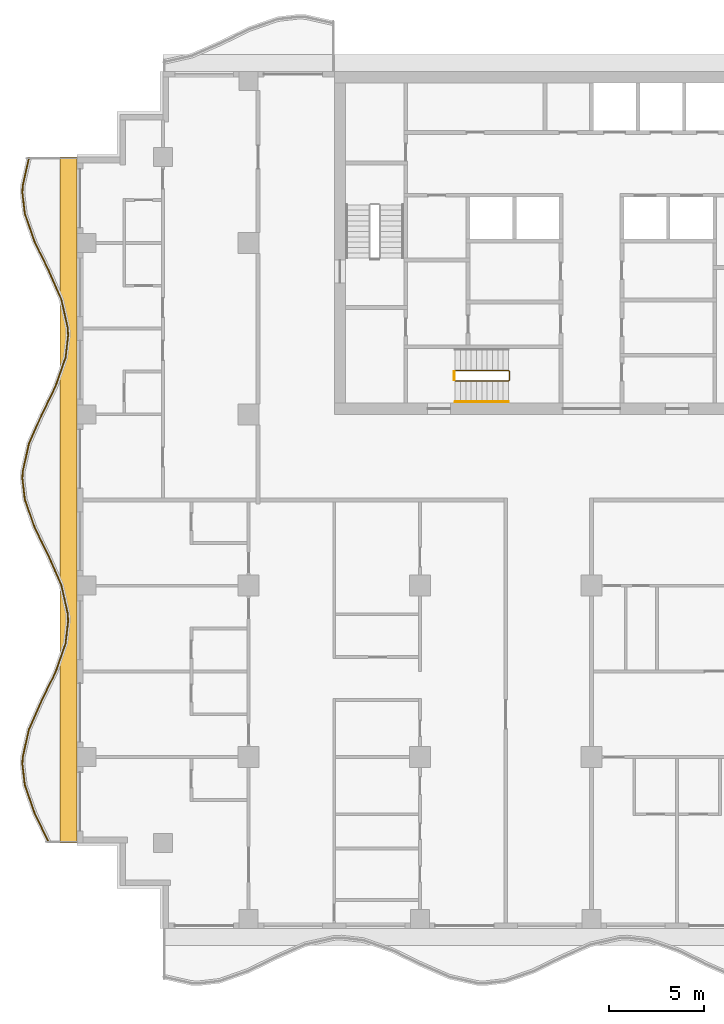
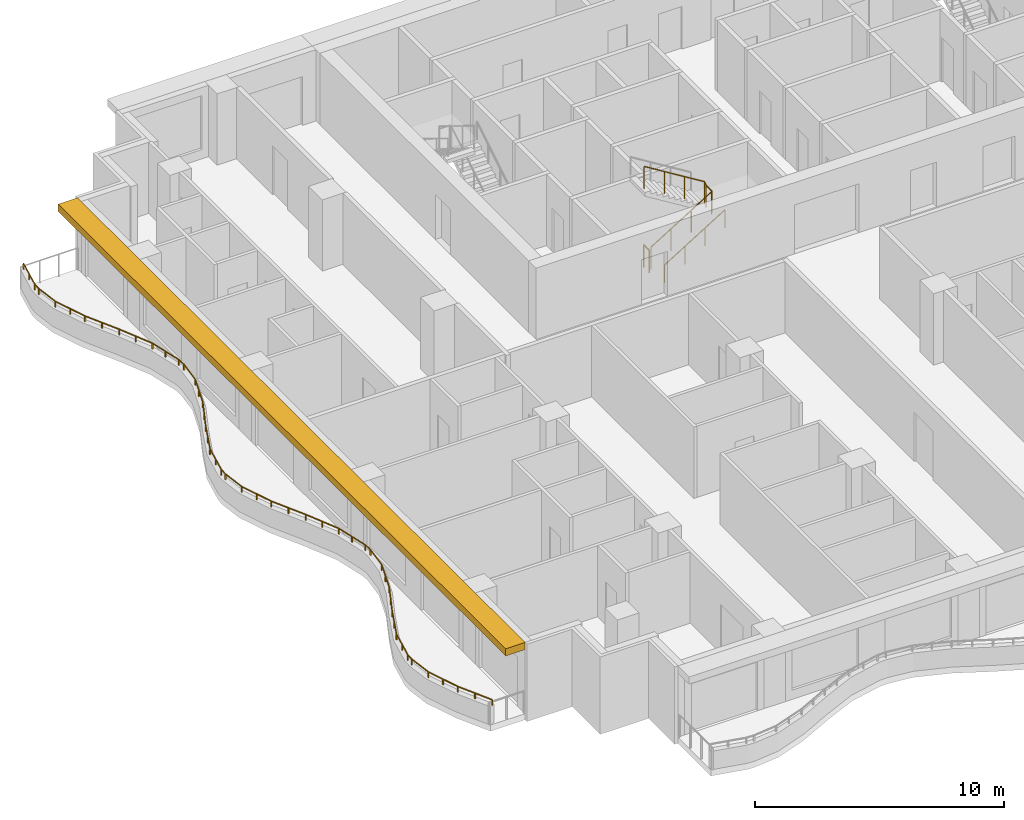
# One storey, part 10 of 12: 4 railings, 1 shading device.
"""IFC4 building model written with IfcOpenShell, lengths in metres."""

from ifc_helpers import new_model, si_unit, direction, frame, origin, origin_2d, place, context, subcontext, project, spatial, polyline, rectangle, circle, outline, extrude, material, layer, layer_set, type_object, element, save


model = new_model("IFC4")

# Units and contexts
model_context = context("Model", 3, precision=1e-05, world=origin(), true_north=direction((0.0, 1.0)))
body_context = subcontext(model_context, "Body", "Model", "MODEL_VIEW")
ifc_project = project(units=[si_unit("LENGTHUNIT", "METRE"), si_unit("AREAUNIT", "SQUARE_METRE"), si_unit("VOLUMEUNIT", "CUBIC_METRE"), si_unit("PLANEANGLEUNIT", "RADIAN"), si_unit("MASSUNIT", "GRAM", prefix="KILO")], contexts=[model_context])

# Site, building, storey
site_placement = place(None, origin())
site = spatial("IfcSite", under=ifc_project, at=site_placement, CompositionType="ELEMENT")
building_placement = place(site_placement, origin())
building = spatial("IfcBuilding", under=site, at=building_placement, Name="Orbiselva Terraces", CompositionType="ELEMENT")
storey_placement = place(building_placement, frame((0.0, 0.0, 214.8)))
storey = spatial("IfcBuildingStorey", under=building, at=storey_placement, Name="L54", CompositionType="ELEMENT", Elevation=214.8)

# Railings
ifc_material_1 = material(Name="Stainless steel", Category="steel")
railing_type_1 = type_object("IfcRailingType", Name="CORE-GUARD-1100", PredefinedType="GUARDRAIL", material=ifc_material_1)
railing_1_placement = place(storey_placement, frame((-7.15, 6.25, 0.172727)))
element("IfcRailing", 1, at=railing_1_placement, inside=storey, type_object=railing_type_1, Name="L54 S3 stair guard 1", PredefinedType="GUARDRAIL", context=body_context, shape_type="SweptSolid", body=[
    extrude(circle(Radius=0.024, at=origin_2d()), frame((0.0, 0.0, 1.081), z_axis=(0.851088519012, 0.0, 0.52502222125), x_axis=(0.0, 1.0, 0.0)), (0.0, 0.0, 1.0), 3.289905),
    extrude(circle(Radius=0.024, at=origin_2d()), frame((2.8, 0.0, 2.808273), z_axis=(0.707106781187, 0.707106781187, 0.0), x_axis=(-0.707106781187, 0.707106781187, 0.0)), (0.0, 0.0, 1.0), 0.070711),
    extrude(circle(Radius=0.024, at=origin_2d()), frame((2.85, 0.05, 2.808273), z_axis=(0.0, 1.0, 0.0), x_axis=(-1.0, 0.0, 0.0)), (0.0, 0.0, 1.0), 0.45),
    extrude(circle(Radius=0.024, at=origin_2d()), frame((2.85, 0.5, 2.808273), z_axis=(-0.267894925557, 0.267894925557, 0.925453736133), x_axis=(-0.707106781187, -0.707106781187, 0.0)), (0.0, 0.0, 1.0), 0.18664),
    extrude(circle(Radius=0.024, at=origin_2d()), frame((2.8, 0.55, 2.981), z_axis=(-0.851088519012, 0.0, 0.52502222125), x_axis=(0.0, -1.0, 0.0)), (0.0, 0.0, 1.0), 3.289905),
    extrude(circle(Radius=0.021, at=origin_2d()), origin(), (0.0, 0.0, 1.0), 1.057),
    extrude(circle(Radius=0.021, at=origin_2d()), frame((0.933333, 0.0, 0.575758)), (0.0, 0.0, 1.0), 1.057),
    extrude(circle(Radius=0.021, at=origin_2d()), frame((1.866667, 0.0, 1.151515)), (0.0, 0.0, 1.0), 1.057),
    extrude(circle(Radius=0.021, at=origin_2d()), frame((2.8, 0.0, 1.727273)), (0.0, 0.0, 1.0), 1.057),
    extrude(circle(Radius=0.021, at=origin_2d()), frame((2.85, 0.05, 1.727273)), (0.0, 0.0, 1.0), 1.057),
    extrude(circle(Radius=0.021, at=origin_2d()), frame((2.85, 0.5, 1.727273)), (0.0, 0.0, 1.0), 1.057),
    extrude(circle(Radius=0.021, at=origin_2d()), frame((2.8, 0.55, 1.9)), (0.0, 0.0, 1.0), 1.057),
    extrude(circle(Radius=0.021, at=origin_2d()), frame((1.866667, 0.55, 2.475758)), (0.0, 0.0, 1.0), 1.057),
    extrude(circle(Radius=0.021, at=origin_2d()), frame((0.933333, 0.55, 3.051515)), (0.0, 0.0, 1.0), 1.057),
    extrude(circle(Radius=0.021, at=origin_2d()), frame((0.0, 0.55, 3.627273)), (0.0, 0.0, 1.0), 1.057),
])
railing_2_placement = place(storey_placement, frame((-7.2, 6.3, 0.0)))
element("IfcRailing", 2, at=railing_2_placement, inside=storey, type_object=railing_type_1, Name="L54 S3 stair guard 2", PredefinedType="GUARDRAIL", context=body_context, shape_type="SweptSolid", body=[
    extrude(circle(Radius=0.024, at=origin_2d()), frame((0.0, 0.0, 1.081), z_axis=(0.0, 1.0, 0.0), x_axis=(-1.0, 0.0, 0.0)), (0.0, 0.0, 1.0), 0.45),
    extrude(circle(Radius=0.021, at=origin_2d()), origin(), (0.0, 0.0, 1.0), 1.057),
    extrude(circle(Radius=0.021, at=origin_2d()), frame((0.0, 0.45, 0.0)), (0.0, 0.0, 1.0), 1.057),
])
railing_type_2 = type_object("IfcRailingType", Name="CORE-HANDRAIL-900", PredefinedType="HANDRAIL", material=ifc_material_1)
railing_3_placement = place(storey_placement, frame((-7.15, 5.15, 0.172727)))
element("IfcRailing", 3, at=railing_3_placement, inside=storey, type_object=railing_type_2, Name="L54 S3 stair handrail 1", PredefinedType="HANDRAIL", context=body_context, shape_type="SweptSolid", body=[
    extrude(circle(Radius=0.024, at=origin_2d()), frame((0.0, 0.0, 0.876), z_axis=(0.851088519012, 0.0, 0.52502222125), x_axis=(0.0, 1.0, 0.0)), (0.0, 0.0, 1.0), 3.289905),
    extrude(circle(Radius=0.021, at=origin_2d()), origin(), (0.0, 0.0, 1.0), 0.852),
    extrude(circle(Radius=0.021, at=origin_2d()), frame((0.933333, 0.0, 0.575758)), (0.0, 0.0, 1.0), 0.852),
    extrude(circle(Radius=0.021, at=origin_2d()), frame((1.866667, 0.0, 1.151515)), (0.0, 0.0, 1.0), 0.852),
    extrude(circle(Radius=0.021, at=origin_2d()), frame((2.8, 0.0, 1.727273)), (0.0, 0.0, 1.0), 0.852),
])
ifc_material_2 = material(Name="Bonded two-ply safety glass balustrade, stainless steel posts", Category="steel")
railing_type_3 = type_object("IfcRailingType", Name="ENV-BALUSTRADE-1200", PredefinedType="BALUSTRADE", material=ifc_material_2)
railing_4_placement = place(storey_placement, frame((-29.526563, 17.972623, 0.9)))
element("IfcRailing", 4, at=railing_4_placement, inside=storey, type_object=railing_type_3, Name="Balcony balustrade L54 W", PredefinedType="BALUSTRADE", context=body_context, shape_type="SweptSolid", body=[
    extrude(outline(polyline([(0.028868, 0.0), (0.014434, 0.025), (-0.014434, 0.025), (-0.028868, 0.0), (-0.014434, -0.025), (0.014434, -0.025), (0.028868, 0.0)])), frame((0.0, 0.0, 0.275), z_axis=(-0.21901575501, -0.975721322437, 0.0), x_axis=(0.975721322437, -0.21901575501, 0.0)), (0.0, 0.0, 1.0), 1.525954),
    extrude(outline(polyline([(0.028868, 0.0), (0.014434, 0.025), (-0.014434, 0.025), (-0.028868, 0.0), (-0.014434, -0.025), (0.014434, -0.025), (0.028868, 0.0)])), frame((-0.334208, -1.488906, 0.275), z_axis=(-0.039364150694, -0.999224931454, 0.0), x_axis=(0.999224931454, -0.039364150694, 0.0)), (0.0, 0.0, 1.0), 0.354206),
    extrude(outline(polyline([(0.028868, 0.0), (0.014434, 0.025), (-0.014434, 0.025), (-0.028868, 0.0), (-0.014434, -0.025), (0.014434, -0.025), (0.028868, 0.0)])), frame((-0.348151, -1.842837, 0.275), z_axis=(0.115481264762, -0.993309658409, 0.0), x_axis=(0.993309658409, 0.115481264762, 0.0)), (0.0, 0.0, 1.0), 1.10902),
    extrude(outline(polyline([(0.028868, 0.0), (0.014434, 0.025), (-0.014434, 0.025), (-0.028868, 0.0), (-0.014434, -0.025), (0.014434, -0.025), (0.028868, 0.0)])), frame((-0.22008, -2.944437, 0.275), z_axis=(0.330024754707, -0.943972277814, 0.0), x_axis=(0.943972277814, 0.330024754707, 0.0)), (0.0, 0.0, 1.0), 1.567807),
    extrude(outline(polyline([(0.028868, 0.0), (0.014434, 0.025), (-0.014434, 0.025), (-0.028868, 0.0), (-0.014434, -0.025), (0.014434, -0.025), (0.028868, 0.0)])), frame((0.297335, -4.424403, 0.275), z_axis=(0.438811978768, -0.89857890432, 0.0), x_axis=(0.89857890432, 0.438811978768, 0.0)), (0.0, 0.0, 1.0), 1.66438),
    extrude(outline(polyline([(0.028868, 0.0), (0.014434, 0.025), (-0.014434, 0.025), (-0.028868, 0.0), (-0.014434, -0.025), (0.014434, -0.025), (0.028868, 0.0)])), frame((1.027685, -5.91998, 0.275), z_axis=(0.403150874148, -0.915133527237, 0.0), x_axis=(0.915133527237, 0.403150874148, 0.0)), (0.0, 0.0, 1.0), 1.653736),
    extrude(outline(polyline([(0.028868, 0.0), (0.014434, 0.025), (-0.014434, 0.025), (-0.028868, 0.0), (-0.014434, -0.025), (0.014434, -0.025), (0.028868, 0.0)])), frame((1.69439, -7.433369, 0.275), z_axis=(0.219015500924, -0.97572137947, 0.0), x_axis=(0.97572137947, 0.219015500924, 0.0)), (0.0, 0.0, 1.0), 1.560867),
    extrude(outline(polyline([(0.028868, 0.0), (0.014434, 0.025), (-0.014434, 0.025), (-0.028868, 0.0), (-0.014434, -0.025), (0.014434, -0.025), (0.028868, 0.0)])), frame((2.036244, -8.95634, 0.275), z_axis=(0.03936915532, -0.999224734286, 0.0), x_axis=(0.999224734286, 0.03936915532, 0.0)), (0.0, 0.0, 1.0), 0.396376),
    extrude(outline(polyline([(0.028868, 0.0), (0.014434, 0.025), (-0.014434, 0.025), (-0.028868, 0.0), (-0.014434, -0.025), (0.014434, -0.025), (0.028868, 0.0)])), frame((2.051849, -9.352409, 0.275), z_axis=(-0.115482182324, -0.993309551734, 0.0), x_axis=(0.993309551734, -0.115482182324, 0.0)), (0.0, 0.0, 1.0), 1.156135),
    extrude(outline(polyline([(0.028868, 0.0), (0.014434, 0.025), (-0.014434, 0.025), (-0.028868, 0.0), (-0.014434, -0.025), (0.014434, -0.025), (0.028868, 0.0)])), frame((1.918336, -10.500809, 0.275), z_axis=(-0.330024597479, -0.943972332783, 0.0), x_axis=(0.943972332783, -0.330024597479, 0.0)), (0.0, 0.0, 1.0), 1.610253),
    extrude(outline(polyline([(0.028868, 0.0), (0.014434, 0.025), (-0.014434, 0.025), (-0.028868, 0.0), (-0.014434, -0.025), (0.014434, -0.025), (0.028868, 0.0)])), frame((1.386913, -12.020843, 0.275), z_axis=(-0.438812048596, -0.898578870221, 0.0), x_axis=(0.898578870221, -0.438812048596, 0.0)), (0.0, 0.0, 1.0), 1.674225),
    extrude(outline(polyline([(0.028868, 0.0), (0.014434, 0.025), (-0.014434, 0.025), (-0.028868, 0.0), (-0.014434, -0.025), (0.014434, -0.025), (0.028868, 0.0)])), frame((0.652243, -13.525266, 0.275), z_axis=(-0.403151245402, -0.915133363686, 0.0), x_axis=(0.915133363686, -0.403151245402, 0.0)), (0.0, 0.0, 1.0), 1.624475),
    extrude(outline(polyline([(0.028868, 0.0), (0.014434, 0.025), (-0.014434, 0.025), (-0.028868, 0.0), (-0.014434, -0.025), (0.014434, -0.025), (0.028868, 0.0)])), frame((-0.002666, -15.011877, 0.275), z_axis=(-0.219015740235, -0.975721325753, 0.0), x_axis=(0.975721325753, -0.219015740235, 0.0)), (0.0, 0.0, 1.0), 1.513782),
    extrude(outline(polyline([(0.028868, 0.0), (0.014434, 0.025), (-0.014434, 0.025), (-0.028868, 0.0), (-0.014434, -0.025), (0.014434, -0.025), (0.028868, 0.0)])), frame((-0.334208, -16.488906, 0.275), z_axis=(-0.039364150694, -0.999224931454, 0.0), x_axis=(0.999224931454, -0.039364150694, 0.0)), (0.0, 0.0, 1.0), 0.354206),
    extrude(outline(polyline([(0.028868, 0.0), (0.014434, 0.025), (-0.014434, 0.025), (-0.028868, 0.0), (-0.014434, -0.025), (0.014434, -0.025), (0.028868, 0.0)])), frame((-0.348151, -16.842837, 0.275), z_axis=(0.115481264762, -0.993309658409, 0.0), x_axis=(0.993309658409, 0.115481264762, 0.0)), (0.0, 0.0, 1.0), 1.10902),
    extrude(outline(polyline([(0.028868, 0.0), (0.014434, 0.025), (-0.014434, 0.025), (-0.028868, 0.0), (-0.014434, -0.025), (0.014434, -0.025), (0.028868, 0.0)])), frame((-0.22008, -17.944437, 0.275), z_axis=(0.330024754707, -0.943972277814, 0.0), x_axis=(0.943972277814, 0.330024754707, 0.0)), (0.0, 0.0, 1.0), 1.567807),
    extrude(outline(polyline([(0.028868, 0.0), (0.014434, 0.025), (-0.014434, 0.025), (-0.028868, 0.0), (-0.014434, -0.025), (0.014434, -0.025), (0.028868, 0.0)])), frame((0.297335, -19.424403, 0.275), z_axis=(0.438811978768, -0.89857890432, 0.0), x_axis=(0.89857890432, 0.438811978768, 0.0)), (0.0, 0.0, 1.0), 1.66438),
    extrude(outline(polyline([(0.028868, 0.0), (0.014434, 0.025), (-0.014434, 0.025), (-0.028868, 0.0), (-0.014434, -0.025), (0.014434, -0.025), (0.028868, 0.0)])), frame((1.027685, -20.91998, 0.275), z_axis=(0.403150874148, -0.915133527237, 0.0), x_axis=(0.915133527237, 0.403150874148, 0.0)), (0.0, 0.0, 1.0), 1.653736),
    extrude(outline(polyline([(0.028868, 0.0), (0.014434, 0.025), (-0.014434, 0.025), (-0.028868, 0.0), (-0.014434, -0.025), (0.014434, -0.025), (0.028868, 0.0)])), frame((1.69439, -22.433369, 0.275), z_axis=(0.219015500924, -0.97572137947, 0.0), x_axis=(0.97572137947, 0.219015500924, 0.0)), (0.0, 0.0, 1.0), 1.560867),
    extrude(outline(polyline([(0.028868, 0.0), (0.014434, 0.025), (-0.014434, 0.025), (-0.028868, 0.0), (-0.014434, -0.025), (0.014434, -0.025), (0.028868, 0.0)])), frame((2.036244, -23.95634, 0.275), z_axis=(0.03936915532, -0.999224734286, 0.0), x_axis=(0.999224734286, 0.03936915532, 0.0)), (0.0, 0.0, 1.0), 0.396376),
    extrude(outline(polyline([(0.028868, 0.0), (0.014434, 0.025), (-0.014434, 0.025), (-0.028868, 0.0), (-0.014434, -0.025), (0.014434, -0.025), (0.028868, 0.0)])), frame((2.051849, -24.352409, 0.275), z_axis=(-0.115482182324, -0.993309551734, 0.0), x_axis=(0.993309551734, -0.115482182324, 0.0)), (0.0, 0.0, 1.0), 1.156135),
    extrude(outline(polyline([(0.028868, 0.0), (0.014434, 0.025), (-0.014434, 0.025), (-0.028868, 0.0), (-0.014434, -0.025), (0.014434, -0.025), (0.028868, 0.0)])), frame((1.918336, -25.500809, 0.275), z_axis=(-0.330024597479, -0.943972332783, 0.0), x_axis=(0.943972332783, -0.330024597479, 0.0)), (0.0, 0.0, 1.0), 1.610253),
    extrude(outline(polyline([(0.028868, 0.0), (0.014434, 0.025), (-0.014434, 0.025), (-0.028868, 0.0), (-0.014434, -0.025), (0.014434, -0.025), (0.028868, 0.0)])), frame((1.386913, -27.020843, 0.275), z_axis=(-0.438812048596, -0.898578870221, 0.0), x_axis=(0.898578870221, -0.438812048596, 0.0)), (0.0, 0.0, 1.0), 1.674225),
    extrude(outline(polyline([(0.028868, 0.0), (0.014434, 0.025), (-0.014434, 0.025), (-0.028868, 0.0), (-0.014434, -0.025), (0.014434, -0.025), (0.028868, 0.0)])), frame((0.652243, -28.525266, 0.275), z_axis=(-0.403151245402, -0.915133363686, 0.0), x_axis=(0.915133363686, -0.403151245402, 0.0)), (0.0, 0.0, 1.0), 1.624475),
    extrude(outline(polyline([(0.028868, 0.0), (0.014434, 0.025), (-0.014434, 0.025), (-0.028868, 0.0), (-0.014434, -0.025), (0.014434, -0.025), (0.028868, 0.0)])), frame((-0.002666, -30.011877, 0.275), z_axis=(-0.219015740235, -0.975721325753, 0.0), x_axis=(0.975721325753, -0.219015740235, 0.0)), (0.0, 0.0, 1.0), 1.513782),
    extrude(outline(polyline([(0.028868, 0.0), (0.014434, 0.025), (-0.014434, 0.025), (-0.028868, 0.0), (-0.014434, -0.025), (0.014434, -0.025), (0.028868, 0.0)])), frame((-0.334208, -31.488906, 0.275), z_axis=(-0.039364150694, -0.999224931454, 0.0), x_axis=(0.999224931454, -0.039364150694, 0.0)), (0.0, 0.0, 1.0), 0.354206),
    extrude(outline(polyline([(0.028868, 0.0), (0.014434, 0.025), (-0.014434, 0.025), (-0.028868, 0.0), (-0.014434, -0.025), (0.014434, -0.025), (0.028868, 0.0)])), frame((-0.348151, -31.842837, 0.275), z_axis=(0.115481264762, -0.993309658409, 0.0), x_axis=(0.993309658409, 0.115481264762, 0.0)), (0.0, 0.0, 1.0), 1.10902),
    extrude(outline(polyline([(0.028868, 0.0), (0.014434, 0.025), (-0.014434, 0.025), (-0.028868, 0.0), (-0.014434, -0.025), (0.014434, -0.025), (0.028868, 0.0)])), frame((-0.22008, -32.944437, 0.275), z_axis=(0.330024754707, -0.943972277814, 0.0), x_axis=(0.943972277814, 0.330024754707, 0.0)), (0.0, 0.0, 1.0), 1.567807),
    extrude(outline(polyline([(0.028868, 0.0), (0.014434, 0.025), (-0.014434, 0.025), (-0.028868, 0.0), (-0.014434, -0.025), (0.014434, -0.025), (0.028868, 0.0)])), frame((0.297335, -34.424403, 0.275), z_axis=(0.438811853882, -0.898578965307, 0.0), x_axis=(0.898578965307, 0.438811853882, 0.0)), (0.0, 0.0, 1.0), 1.661922),
    extrude(rectangle(XDim=0.05, YDim=0.05, at=origin_2d()), origin(), (0.0, 0.0, 1.0), 0.25),
    extrude(rectangle(XDim=0.05, YDim=0.05, at=origin_2d()), frame((-0.167104, -0.744453, 0.0)), (0.0, 0.0, 1.0), 0.25),
    extrude(rectangle(XDim=0.05, YDim=0.05, at=origin_2d()), frame((-0.334208, -1.488906, 0.0)), (0.0, 0.0, 1.0), 0.25),
    extrude(rectangle(XDim=0.05, YDim=0.05, at=origin_2d()), frame((-0.348151, -1.842837, 0.0)), (0.0, 0.0, 1.0), 0.25),
    extrude(rectangle(XDim=0.05, YDim=0.05, at=origin_2d()), frame((-0.22008, -2.944437, 0.0)), (0.0, 0.0, 1.0), 0.25),
    extrude(rectangle(XDim=0.05, YDim=0.05, at=origin_2d()), frame((0.038628, -3.68442, 0.0)), (0.0, 0.0, 1.0), 0.25),
    extrude(rectangle(XDim=0.05, YDim=0.05, at=origin_2d()), frame((0.297335, -4.424403, 0.0)), (0.0, 0.0, 1.0), 0.25),
    extrude(rectangle(XDim=0.05, YDim=0.05, at=origin_2d()), frame((0.66251, -5.172191, 0.0)), (0.0, 0.0, 1.0), 0.25),
    extrude(rectangle(XDim=0.05, YDim=0.05, at=origin_2d()), frame((1.027685, -5.91998, 0.0)), (0.0, 0.0, 1.0), 0.25),
    extrude(rectangle(XDim=0.05, YDim=0.05, at=origin_2d()), frame((1.361037, -6.676674, 0.0)), (0.0, 0.0, 1.0), 0.25),
    extrude(rectangle(XDim=0.05, YDim=0.05, at=origin_2d()), frame((1.69439, -7.433369, 0.0)), (0.0, 0.0, 1.0), 0.25),
    extrude(rectangle(XDim=0.05, YDim=0.05, at=origin_2d()), frame((1.865317, -8.194854, 0.0)), (0.0, 0.0, 1.0), 0.25),
    extrude(rectangle(XDim=0.05, YDim=0.05, at=origin_2d()), frame((2.036244, -8.95634, 0.0)), (0.0, 0.0, 1.0), 0.25),
    extrude(rectangle(XDim=0.05, YDim=0.05, at=origin_2d()), frame((2.051849, -9.352409, 0.0)), (0.0, 0.0, 1.0), 0.25),
    extrude(rectangle(XDim=0.05, YDim=0.05, at=origin_2d()), frame((1.918336, -10.500809, 0.0)), (0.0, 0.0, 1.0), 0.25),
    extrude(rectangle(XDim=0.05, YDim=0.05, at=origin_2d()), frame((1.652624, -11.260826, 0.0)), (0.0, 0.0, 1.0), 0.25),
    extrude(rectangle(XDim=0.05, YDim=0.05, at=origin_2d()), frame((1.386913, -12.020843, 0.0)), (0.0, 0.0, 1.0), 0.25),
    extrude(rectangle(XDim=0.05, YDim=0.05, at=origin_2d()), frame((1.019578, -12.773054, 0.0)), (0.0, 0.0, 1.0), 0.25),
    extrude(rectangle(XDim=0.05, YDim=0.05, at=origin_2d()), frame((0.652243, -13.525266, 0.0)), (0.0, 0.0, 1.0), 0.25),
    extrude(rectangle(XDim=0.05, YDim=0.05, at=origin_2d()), frame((0.324788, -14.268571, 0.0)), (0.0, 0.0, 1.0), 0.25),
    extrude(rectangle(XDim=0.05, YDim=0.05, at=origin_2d()), frame((-0.002666, -15.011877, 0.0)), (0.0, 0.0, 1.0), 0.25),
    extrude(rectangle(XDim=0.05, YDim=0.05, at=origin_2d()), frame((-0.168437, -15.750392, 0.0)), (0.0, 0.0, 1.0), 0.25),
    extrude(rectangle(XDim=0.05, YDim=0.05, at=origin_2d()), frame((-0.334208, -16.488906, 0.0)), (0.0, 0.0, 1.0), 0.25),
    extrude(rectangle(XDim=0.05, YDim=0.05, at=origin_2d()), frame((-0.348151, -16.842837, 0.0)), (0.0, 0.0, 1.0), 0.25),
    extrude(rectangle(XDim=0.05, YDim=0.05, at=origin_2d()), frame((-0.22008, -17.944437, 0.0)), (0.0, 0.0, 1.0), 0.25),
    extrude(rectangle(XDim=0.05, YDim=0.05, at=origin_2d()), frame((0.038628, -18.68442, 0.0)), (0.0, 0.0, 1.0), 0.25),
    extrude(rectangle(XDim=0.05, YDim=0.05, at=origin_2d()), frame((0.297335, -19.424403, 0.0)), (0.0, 0.0, 1.0), 0.25),
    extrude(rectangle(XDim=0.05, YDim=0.05, at=origin_2d()), frame((0.66251, -20.172191, 0.0)), (0.0, 0.0, 1.0), 0.25),
    extrude(rectangle(XDim=0.05, YDim=0.05, at=origin_2d()), frame((1.027685, -20.91998, 0.0)), (0.0, 0.0, 1.0), 0.25),
    extrude(rectangle(XDim=0.05, YDim=0.05, at=origin_2d()), frame((1.361037, -21.676674, 0.0)), (0.0, 0.0, 1.0), 0.25),
    extrude(rectangle(XDim=0.05, YDim=0.05, at=origin_2d()), frame((1.69439, -22.433369, 0.0)), (0.0, 0.0, 1.0), 0.25),
    extrude(rectangle(XDim=0.05, YDim=0.05, at=origin_2d()), frame((1.865317, -23.194854, 0.0)), (0.0, 0.0, 1.0), 0.25),
    extrude(rectangle(XDim=0.05, YDim=0.05, at=origin_2d()), frame((2.036244, -23.95634, 0.0)), (0.0, 0.0, 1.0), 0.25),
    extrude(rectangle(XDim=0.05, YDim=0.05, at=origin_2d()), frame((2.051849, -24.352409, 0.0)), (0.0, 0.0, 1.0), 0.25),
    extrude(rectangle(XDim=0.05, YDim=0.05, at=origin_2d()), frame((1.918336, -25.500809, 0.0)), (0.0, 0.0, 1.0), 0.25),
    extrude(rectangle(XDim=0.05, YDim=0.05, at=origin_2d()), frame((1.652624, -26.260826, 0.0)), (0.0, 0.0, 1.0), 0.25),
    extrude(rectangle(XDim=0.05, YDim=0.05, at=origin_2d()), frame((1.386913, -27.020843, 0.0)), (0.0, 0.0, 1.0), 0.25),
    extrude(rectangle(XDim=0.05, YDim=0.05, at=origin_2d()), frame((1.019578, -27.773054, 0.0)), (0.0, 0.0, 1.0), 0.25),
    extrude(rectangle(XDim=0.05, YDim=0.05, at=origin_2d()), frame((0.652243, -28.525266, 0.0)), (0.0, 0.0, 1.0), 0.25),
    extrude(rectangle(XDim=0.05, YDim=0.05, at=origin_2d()), frame((0.324788, -29.268572, 0.0)), (0.0, 0.0, 1.0), 0.25),
    extrude(rectangle(XDim=0.05, YDim=0.05, at=origin_2d()), frame((-0.002666, -30.011877, 0.0)), (0.0, 0.0, 1.0), 0.25),
    extrude(rectangle(XDim=0.05, YDim=0.05, at=origin_2d()), frame((-0.168437, -30.750392, 0.0)), (0.0, 0.0, 1.0), 0.25),
    extrude(rectangle(XDim=0.05, YDim=0.05, at=origin_2d()), frame((-0.334208, -31.488906, 0.0)), (0.0, 0.0, 1.0), 0.25),
    extrude(rectangle(XDim=0.05, YDim=0.05, at=origin_2d()), frame((-0.348151, -31.842837, 0.0)), (0.0, 0.0, 1.0), 0.25),
    extrude(rectangle(XDim=0.05, YDim=0.05, at=origin_2d()), frame((-0.22008, -32.944437, 0.0)), (0.0, 0.0, 1.0), 0.25),
    extrude(rectangle(XDim=0.05, YDim=0.05, at=origin_2d()), frame((0.038628, -33.68442, 0.0)), (0.0, 0.0, 1.0), 0.25),
    extrude(rectangle(XDim=0.05, YDim=0.05, at=origin_2d()), frame((0.297335, -34.424403, 0.0)), (0.0, 0.0, 1.0), 0.25),
    extrude(rectangle(XDim=0.05, YDim=0.05, at=origin_2d()), frame((0.661971, -35.171087, 0.0)), (0.0, 0.0, 1.0), 0.25),
    extrude(rectangle(XDim=0.05, YDim=0.05, at=origin_2d()), frame((1.026606, -35.917771, 0.0)), (0.0, 0.0, 1.0), 0.25),
])

# Shading device
ifc_material_3 = material(Name="Terracotta baguette sunshade", Category="masonry")
ifc_layer = layer(ifc_material_3, 0.35)
ifc_layer_set = layer_set([ifc_layer], Name="Terracotta baguette sunshade")
shading_device_type = type_object("IfcShadingDeviceType", Name="ENV-SUNSHADE-900x350", PredefinedType="USERDEFINED", material=ifc_layer_set)
shading_device_placement = place(storey_placement, frame((0.0, 0.0, 3.15)))
element("IfcShadingDevice", 5, at=shading_device_placement, inside=storey, type_object=shading_device_type, Name="Sunshade band L54 W", ObjectType="SUNSHADE", PredefinedType="USERDEFINED", context=body_context, shape_type="SweptSolid", body=[
    extrude(outline(polyline([(-27.9, 18.0), (-27.9, -18.0), (-27.0, -18.0), (-27.0, 18.0), (-27.9, 18.0)])), origin(), (0.0, 0.0, 1.0), 0.35),
])

save(model, "model.ifc")
